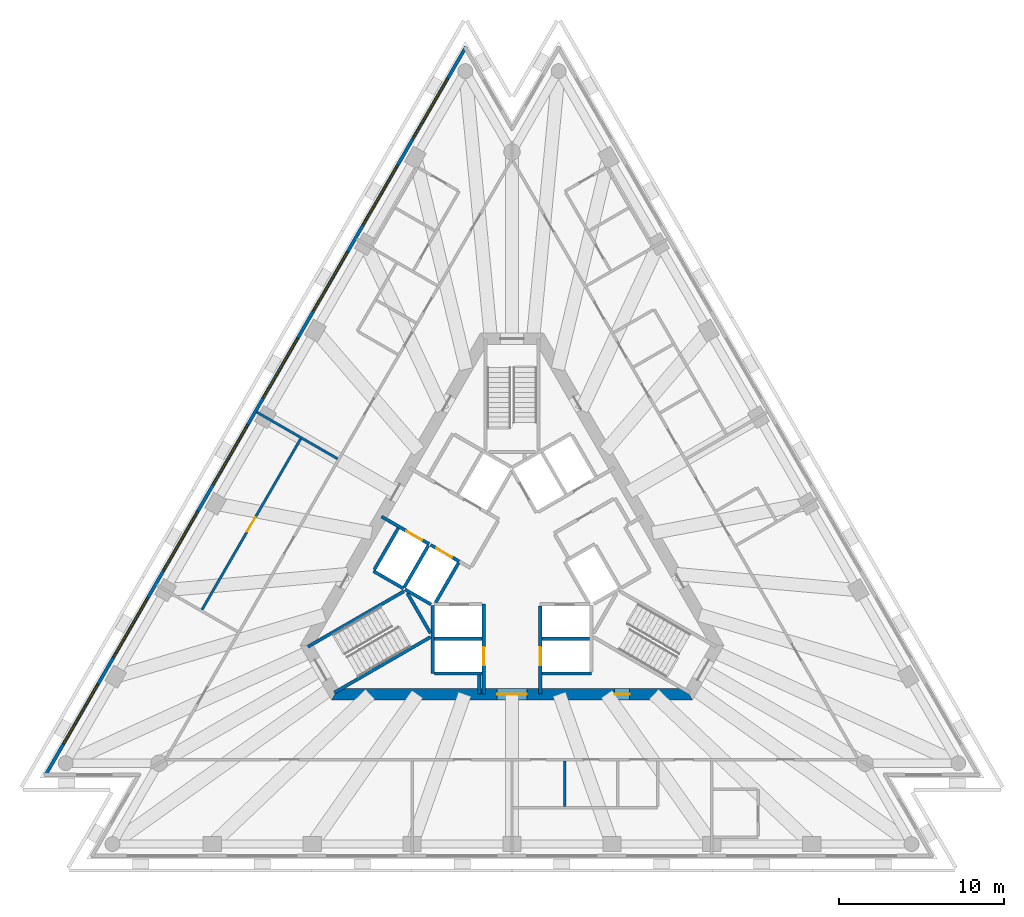
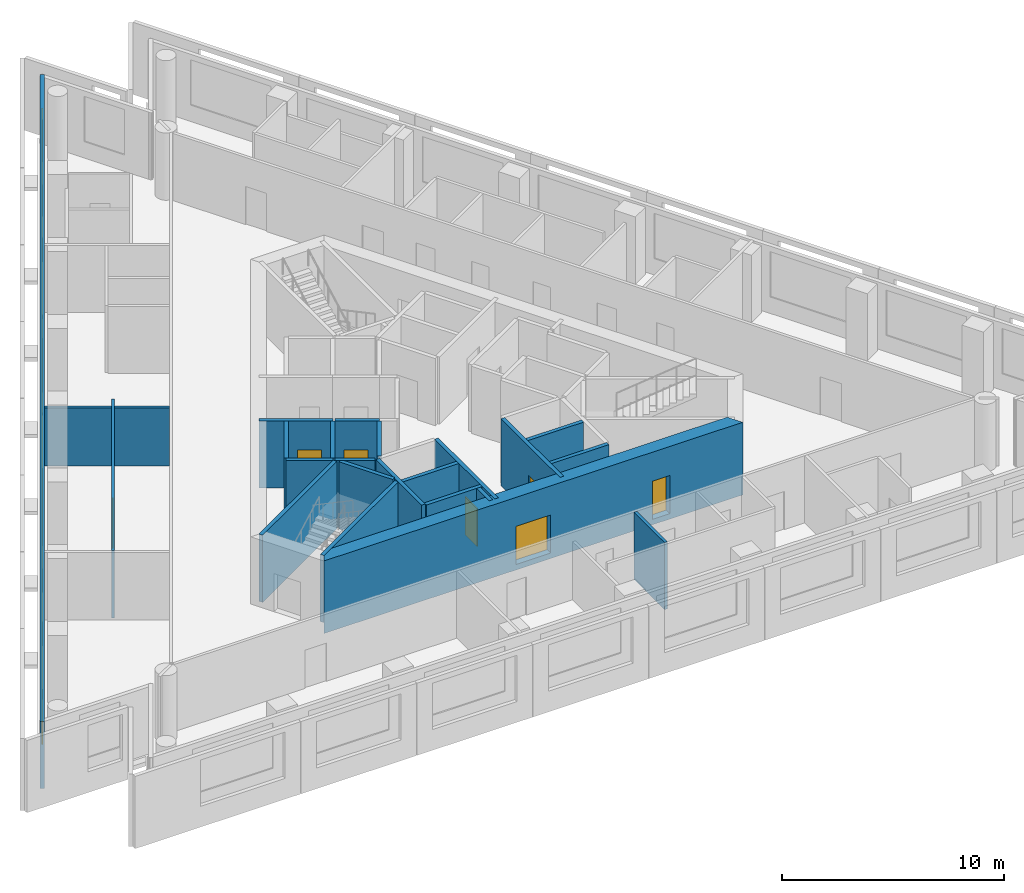
# One storey, part 3 of 9: 23 walls, 8 windows, 7 doors, 15 openings.
"""IFC4 building model written with IfcOpenShell, lengths in metres."""

from ifc_helpers import new_model, si_unit, direction, frame, frame_2d, origin, place, context, subcontext, project, spatial, polyline, rectangle, outline, extrude, material, layer, layer_set, layer_usage, type_object, element, fill, save


model = new_model("IFC4")

# Units and contexts
model_context = context("Model", 3, precision=1e-05, world=origin(), true_north=direction((0.0, 1.0)))
body_context = subcontext(model_context, "Body", "Model", "MODEL_VIEW")
ifc_project = project(units=[si_unit("LENGTHUNIT", "METRE"), si_unit("AREAUNIT", "SQUARE_METRE"), si_unit("VOLUMEUNIT", "CUBIC_METRE"), si_unit("PLANEANGLEUNIT", "RADIAN"), si_unit("MASSUNIT", "GRAM", prefix="KILO")], contexts=[model_context])

# Site, building, storey
site_placement = place(None, origin())
site = spatial("IfcSite", under=ifc_project, at=site_placement, CompositionType="ELEMENT")
building_placement = place(site_placement, origin())
building = spatial("IfcBuilding", under=site, at=building_placement, Name="Triada Interchange Tower", CompositionType="ELEMENT")
storey_placement = place(building_placement, frame((0.0, 0.0, 219.300048828125)))
storey = spatial("IfcBuildingStorey", under=building, at=storey_placement, Name="L51", CompositionType="ELEMENT", Elevation=219.300048828125)

# Walls
ifc_material_1 = material(Name="Concrete C30/37", Category="concrete")
ifc_layer_1 = layer(ifc_material_1, 0.199951171875)
ifc_layer_set_1 = layer_set([ifc_layer_1], Name="CORE WALL 200 EI 120")
wall_type_1 = type_object("IfcWallType", Name="CORE WALL 200 EI 120", PredefinedType="SOLIDWALL", material=ifc_layer_set_1)
wall_1_placement = place(storey_placement, frame((-8.3759765625, -0.70703125, 0.0), z_axis=(0.0, 0.0, 1.0), x_axis=(0.866067520717, -0.499927044236, 0.0)))
element("IfcWall", 1, at=wall_1_placement, inside=storey, type_object=wall_type_1, Name="Wall L50 41", PredefinedType="SOLIDWALL", context=body_context, shape_type="SweptSolid", body=[
    extrude(rectangle(XDim=2.100341796875, YDim=0.199951171875, at=frame_2d((1.05029296875, 0.0))), origin(), (0.0, 0.0, 1.0), 3.699951171875),
])
wall_2_placement = place(storey_placement, frame((-8.325927734375, -0.6201171875, 0.0), z_axis=(0.0, 0.0, 1.0), x_axis=(0.500023687443, 0.866011727401, 0.0)))
element("IfcWall", 2, at=wall_2_placement, inside=storey, type_object=wall_type_1, Name="Wall L50 42", PredefinedType="SOLIDWALL", context=body_context, shape_type="SweptSolid", body=[
    extrude(rectangle(XDim=2.899658203125, YDim=0.199951171875, at=frame_2d((1.44970703125, 0.0))), origin(), (0.0, 0.0, 1.0), 3.699951171875),
])
for number, where, z_axis, x_axis, name in (
    (3, (-4.699951171875, -4.800048828125, 0.0), (0.0, 0.0, 1.0), (1.0, 0.0, 0.0), "Wall L50 43"),
    (4, (1.800048828125, -4.800048828125, 0.0), (0.0, 0.0, 1.0), (1.0, 0.0, 0.0), "Wall L50 44"),
):
    element("IfcWall", number, at=place(storey_placement, frame(where, z_axis=z_axis, x_axis=x_axis)), inside=storey, type_object=wall_type_1, Name=name, PredefinedType="SOLIDWALL", context=body_context, shape_type="SweptSolid", body=[
        extrude(rectangle(XDim=2.89990234375, YDim=0.199951171875, at=frame_2d((1.449951171875, 0.0))), origin(), (0.0, 0.0, 1.0), 3.699951171875),
    ])
wall_3_placement = place(storey_placement, frame((-4.800048828125, -6.89990234375, 0.0), z_axis=(0.0, 0.0, 1.0), x_axis=(0.0, 1.0, 0.0)))
element("IfcWall", 5, at=wall_3_placement, inside=storey, type_object=wall_type_1, Name="Wall L50 45", PredefinedType="SOLIDWALL", context=body_context, shape_type="SweptSolid", body=[
    extrude(rectangle(XDim=4.130859375, YDim=0.199951171875, at=frame_2d((2.0654296875, 0.0))), origin(), (0.0, 0.0, 1.0), 3.699951171875),
])
wall_4_placement = place(storey_placement, frame((-4.699951171875, -6.89990234375, 0.0), z_axis=(0.0, 0.0, 1.0), x_axis=(1.0, 0.0, 0.0)))
element("IfcWall", 6, at=wall_4_placement, inside=storey, type_object=wall_type_1, Name="Wall L50 46", PredefinedType="SOLIDWALL", context=body_context, shape_type="SweptSolid", body=[
    extrude(rectangle(XDim=2.89990234375, YDim=0.199951171875, at=frame_2d((1.449951171875, 0.0))), origin(), (0.0, 0.0, 1.0), 3.699951171875),
])
wall_5_placement = place(storey_placement, frame((1.800048828125, -6.89990234375, 0.0), z_axis=(0.0, 0.0, 1.0), x_axis=(1.0, 0.0, 0.0)))
element("IfcWall", 7, at=wall_5_placement, inside=storey, type_object=wall_type_1, Name="Wall L50 47", PredefinedType="SOLIDWALL", context=body_context, shape_type="SweptSolid", body=[
    extrude(rectangle(XDim=3.0, YDim=0.199951171875, at=frame_2d((1.5, 0.0))), origin(), (0.0, 0.0, 1.0), 3.699951171875),
])

# Wall, opening, door
wall_6_placement = place(storey_placement, frame((-1.699951171875, -8.1298828125, 0.0), z_axis=(0.0, 0.0, 1.0), x_axis=(0.0, 1.0, 0.0)))
wall_6 = element("IfcWall", 8, at=wall_6_placement, inside=storey, type_object=wall_type_1, Name="Wall L50 48", PredefinedType="SOLIDWALL", context=body_context, shape_type="SweptSolid", body=[
    extrude(rectangle(XDim=5.427001953125, YDim=0.199951171875, at=frame_2d((2.71337890625, 0.0))), origin(), (0.0, 0.0, 1.0), 3.699951171875),
])
opening_1_placement = place(wall_6_placement, frame((1.72998046875, 0.0, 0.0)))
opening_1 = element("IfcOpeningElement", 9, at=opening_1_placement, cuts=wall_6, Name="Opening LD-HR4", PredefinedType="OPENING", context=body_context, shape_type="SweptSolid", body=[
    extrude(rectangle(XDim=1.10009765625, YDim=2.10009765625, at=frame_2d((0.550048828125, 1.050048828125))), frame((0.0, 0.10986328125, 0.0), z_axis=(0.0, -1.0, 0.0), x_axis=(1.0, 0.0, 0.0)), (0.0, 0.0, 1.0), 0.219970703125),
])
ifc_material_2 = material(Name="Steel S235 door leaf", Category="steel")
door_type_1 = type_object("IfcDoorType", Name="LIFT LANDING DOOR 1100 EI 120", OperationType="SLIDING_TO_LEFT", PredefinedType="DOOR", material=ifc_material_2)
door_1_placement = place(opening_1_placement, origin())
door_1 = element("IfcDoor", 10, at=door_1_placement, inside=storey, type_object=door_type_1, Name="HR4 landing door L51", OperationType="SLIDING_TO_LEFT", OverallHeight=2.10009765625, OverallWidth=1.10009765625, PredefinedType="DOOR", context=body_context, shape_type="SweptSolid", body=[
    extrude(rectangle(XDim=1.10009765625, YDim=2.10009765625, at=frame_2d((0.550048828125, 1.050048828125))), frame((0.0, 0.02490234375, 0.0), z_axis=(0.0, -1.0, 0.0), x_axis=(1.0, 0.0, 0.0)), (0.0, 0.0, 1.0), 0.050048828125),
])
fill(opening_1, door_1)

wall_7_placement = place(storey_placement, frame((1.699951171875, -8.1298828125, 0.0), z_axis=(0.0, 0.0, 1.0), x_axis=(0.0, 1.0, 0.0)))
wall_7 = element("IfcWall", 11, at=wall_7_placement, inside=storey, type_object=wall_type_1, Name="Wall L50 55", PredefinedType="SOLIDWALL", context=body_context, shape_type="SweptSolid", body=[
    extrude(rectangle(XDim=5.326904296875, YDim=0.199951171875, at=frame_2d((2.66357421875, 0.0))), origin(), (0.0, 0.0, 1.0), 3.699951171875),
])
opening_2_placement = place(wall_7_placement, frame((1.72998046875, 0.0, 0.0)))
opening_2 = element("IfcOpeningElement", 12, at=opening_2_placement, cuts=wall_7, Name="Opening LD-HR2", PredefinedType="OPENING", context=body_context, shape_type="SweptSolid", body=[
    extrude(rectangle(XDim=1.10009765625, YDim=2.10009765625, at=frame_2d((0.550048828125, 1.050048828125))), frame((0.0, 0.10986328125, 0.0), z_axis=(0.0, -1.0, 0.0), x_axis=(1.0, 0.0, 0.0)), (0.0, 0.0, 1.0), 0.219970703125),
])
door_2_placement = place(opening_2_placement, origin())
door_2 = element("IfcDoor", 13, at=door_2_placement, inside=storey, type_object=door_type_1, Name="HR2 landing door L51", OperationType="SLIDING_TO_LEFT", OverallHeight=2.10009765625, OverallWidth=1.10009765625, PredefinedType="DOOR", context=body_context, shape_type="SweptSolid", body=[
    extrude(rectangle(XDim=1.10009765625, YDim=2.10009765625, at=frame_2d((0.550048828125, 1.050048828125))), frame((0.0, 0.02490234375, 0.0), z_axis=(0.0, -1.0, 0.0), x_axis=(1.0, 0.0, 0.0)), (0.0, 0.0, 1.0), 0.050048828125),
])
fill(opening_2, door_2)

ifc_layer_2 = layer(ifc_material_1, 0.199951171875)
ifc_layer_set_2 = layer_set([ifc_layer_2], Name="CORE WALL 200 EI 180")
wall_type_2 = type_object("IfcWallType", Name="CORE WALL 200 EI 180", PredefinedType="SOLIDWALL", material=ifc_layer_set_2)
wall_8_placement = place(storey_placement, frame((-7.89111328125, 2.593017578125, 0.0), z_axis=(0.0, 0.0, 1.0), x_axis=(0.866070917804, -0.499921159118, 0.0)))
wall_8 = element("IfcWall", 14, at=wall_8_placement, inside=storey, type_object=wall_type_2, Name="Wall L50 66", PredefinedType="SOLIDWALL", context=body_context, shape_type="SweptSolid", body=[
    extrude(rectangle(XDim=3.33251953125, YDim=0.199951171875, at=frame_2d((1.666259765625, 0.0))), origin(), (0.0, 0.0, 1.0), 3.699951171875),
])
opening_3_placement = place(wall_8_placement, frame((1.72998046875, 0.0, 0.0)))
opening_3 = element("IfcOpeningElement", 15, at=opening_3_placement, cuts=wall_8, Name="Opening LD-SV1", PredefinedType="OPENING", context=body_context, shape_type="SweptSolid", body=[
    extrude(rectangle(XDim=1.10009765625, YDim=2.10009765625, at=frame_2d((0.550048828125, 1.050048828125))), frame((0.0, 0.10986328125, 0.0), z_axis=(0.0, -1.0, 0.0), x_axis=(1.0, 0.0, 0.0)), (0.0, 0.0, 1.0), 0.219970703125),
])
door_3_placement = place(opening_3_placement, origin())
door_3 = element("IfcDoor", 16, at=door_3_placement, inside=storey, type_object=door_type_1, Name="SV1 landing door L51", OperationType="SLIDING_TO_LEFT", OverallHeight=2.10009765625, OverallWidth=1.10009765625, PredefinedType="DOOR", context=body_context, shape_type="SweptSolid", body=[
    extrude(rectangle(XDim=1.10009765625, YDim=2.10009765625, at=frame_2d((0.550048828125, 1.050048828125))), frame((0.0, 0.02490234375, 0.0), z_axis=(0.0, -1.0, 0.0), x_axis=(1.0, 0.0, 0.0)), (0.0, 0.0, 1.0), 0.050048828125),
])
fill(opening_3, door_3)

# Walls
wall_9_placement = place(storey_placement, frame((-6.507080078125, -1.669921875, 0.0), z_axis=(0.0, 0.0, 1.0), x_axis=(0.50012328804, 0.865954211699, 0.0)))
element("IfcWall", 17, at=wall_9_placement, inside=storey, type_object=wall_type_2, Name="Shaft wall FF1 L50 73", PredefinedType="SOLIDWALL", context=body_context, shape_type="SweptSolid", body=[
    extrude(rectangle(XDim=2.899658203125, YDim=0.199951171875, at=frame_2d((1.44970703125, 0.0))), origin(), (0.0, 0.0, 1.0), 3.699951171875),
])
wall_10_placement = place(storey_placement, frame((-6.469970703125, -1.806884765625, 0.0), z_axis=(0.0, 0.0, 1.0), x_axis=(0.865883195159, -0.500246231712, 0.0)))
element("IfcWall", 18, at=wall_10_placement, inside=storey, type_object=wall_type_2, Name="Shaft wall FF1 L50 74", PredefinedType="SOLIDWALL", context=body_context, shape_type="SweptSolid", body=[
    extrude(rectangle(XDim=1.8154296875, YDim=0.199951171875, at=frame_2d((0.90771484375, 0.0))), origin(), (0.0, 0.0, 1.0), 3.699951171875),
])

# Wall, opening, door
wall_11_placement = place(storey_placement, frame((-4.922119140625, 0.87890625, 0.0), z_axis=(0.0, 0.0, 1.0), x_axis=(0.866073918653, -0.499915960366, 0.0)))
wall_11 = element("IfcWall", 19, at=wall_11_placement, inside=storey, type_object=wall_type_2, Name="Shaft wall FF1 L50 75", PredefinedType="SOLIDWALL", context=body_context, shape_type="SweptSolid", body=[
    extrude(rectangle(XDim=2.002197265625, YDim=0.199951171875, at=frame_2d((1.0009765625, 0.0))), origin(), (0.0, 0.0, 1.0), 3.699951171875),
])
opening_4_placement = place(wall_11_placement, frame((0.402099609375, 0.0, 0.0)))
opening_4 = element("IfcOpeningElement", 20, at=opening_4_placement, cuts=wall_11, Name="Opening LD-FF1", PredefinedType="OPENING", context=body_context, shape_type="SweptSolid", body=[
    extrude(rectangle(XDim=1.10009765625, YDim=2.10009765625, at=frame_2d((0.550048828125, 1.050048828125))), frame((0.0, 0.10986328125, 0.0), z_axis=(0.0, -1.0, 0.0), x_axis=(1.0, 0.0, 0.0)), (0.0, 0.0, 1.0), 0.219970703125),
])
door_4_placement = place(opening_4_placement, origin())
door_4 = element("IfcDoor", 21, at=door_4_placement, inside=storey, type_object=door_type_1, Name="FF1 landing door L51", OperationType="SLIDING_TO_LEFT", OverallHeight=2.10009765625, OverallWidth=1.10009765625, PredefinedType="DOOR", context=body_context, shape_type="SweptSolid", body=[
    extrude(rectangle(XDim=1.10009765625, YDim=2.10009765625, at=frame_2d((0.550048828125, 1.050048828125))), frame((0.0, 0.02490234375, 0.0), z_axis=(0.0, -1.0, 0.0), x_axis=(1.0, 0.0, 0.0)), (0.0, 0.0, 1.0), 0.050048828125),
])
fill(opening_4, door_4)

# Walls
wall_12_placement = place(storey_placement, frame((-4.618896484375, -2.60009765625, 0.0), z_axis=(0.0, 0.0, 1.0), x_axis=(0.50009492287, 0.865970593103, 0.0)))
element("IfcWall", 22, at=wall_12_placement, inside=storey, type_object=wall_type_2, Name="Shaft wall FF1 L50 76", PredefinedType="SOLIDWALL", context=body_context, shape_type="SweptSolid", body=[
    extrude(rectangle(XDim=2.76123046875, YDim=0.199951171875, at=frame_2d((1.380615234375, 0.0))), origin(), (0.0, 0.0, 1.0), 3.699951171875),
])
ifc_layer_3 = layer(ifc_material_1, 0.199951171875)
ifc_layer_set_3 = layer_set([ifc_layer_3], Name="CORE WALL 200 EI 90")
wall_type_3 = type_object("IfcWallType", Name="CORE WALL 200 EI 90", PredefinedType="SOLIDWALL", material=ifc_layer_set_3)
wall_13_placement = place(storey_placement, frame((-1.986083984375, -8.1298828125, 0.0), z_axis=(0.0, 0.0, 1.0), x_axis=(0.0, 1.0, 0.0)))
element("IfcWall", 23, at=wall_13_placement, inside=storey, type_object=wall_type_3, Name="Wall L50 81", PredefinedType="SOLIDWALL", context=body_context, shape_type="SweptSolid", body=[
    extrude(rectangle(XDim=1.1298828125, YDim=0.199951171875, at=frame_2d((0.56494140625, 0.0))), origin(), (0.0, 0.0, 1.0), 3.699951171875),
])
ifc_layer_4 = layer(ifc_material_1, 0.199951171875)
ifc_layer_set_4 = layer_set([ifc_layer_4], Name="CORE WALL 200 REI 240")
wall_type_4 = type_object("IfcWallType", Name="CORE WALL 200 REI 240", PredefinedType="SOLIDWALL", material=ifc_layer_set_4)
wall_14_placement = place(storey_placement, frame((-12.343994140625, -5.279052734375, 0.0), z_axis=(0.0, 0.0, 1.0), x_axis=(0.866046323291, 0.499963764601, 0.0)))
element("IfcWall", 24, at=wall_14_placement, inside=storey, type_object=wall_type_4, Name="Wall L50 86", PredefinedType="SOLIDWALL", context=body_context, shape_type="SweptSolid", body=[
    extrude(rectangle(XDim=6.71435546875, YDim=0.199951171875, at=frame_2d((3.357177734375, 0.0))), origin(), (0.0, 0.0, 1.0), 3.699951171875),
])
wall_15_placement = place(storey_placement, frame((-6.3291015625, -2.0380859375, 0.0), z_axis=(0.0, 0.0, 1.0), x_axis=(0.500200581029, -0.865909567298, 0.0)))
element("IfcWall", 25, at=wall_15_placement, inside=storey, type_object=wall_type_4, Name="Wall L50 87", PredefinedType="SOLIDWALL", context=body_context, shape_type="SweptSolid", body=[
    extrude(rectangle(XDim=2.799072265625, YDim=0.199951171875, at=frame_2d((1.3994140625, 0.0))), origin(), (0.0, 0.0, 1.0), 3.699951171875),
])
wall_16_placement = place(storey_placement, frame((-10.743896484375, -8.051025390625, 0.0), z_axis=(0.0, 0.0, 1.0), x_axis=(0.865983344943, 0.500072840975, 0.0)))
element("IfcWall", 26, at=wall_16_placement, inside=storey, type_object=wall_type_4, Name="Wall L50 88", PredefinedType="SOLIDWALL", context=body_context, shape_type="SweptSolid", body=[
    extrude(rectangle(XDim=6.71484375, YDim=0.199951171875, at=frame_2d((3.357421875, 0.0))), origin(), (0.0, 0.0, 1.0), 3.699951171875),
])

# Wall, openings, doors
ifc_material_3 = material(Name="Concrete C50/60", Category="concrete")
ifc_layer_5 = layer(ifc_material_3, 0.699951171875)
ifc_layer_set_5 = layer_set([ifc_layer_5], Name="Core wall C 700")
wall_type_5 = type_object("IfcWallType", Name="Core wall C 700", PredefinedType="SHEAR", material=ifc_layer_set_5)
wall_17_placement = place(storey_placement, frame((-10.7099609375, -8.14990234375, -0.300048828125), z_axis=(0.0, 0.0, 1.0), x_axis=(1.0, 0.0, 0.0)))
wall_17 = element("IfcWall", 27, at=wall_17_placement, inside=storey, type_object=wall_type_5, Name="Core wall WC04 L51", PredefinedType="SHEAR", context=body_context, shape_type="SweptSolid", body=[
    extrude(outline(polyline([(-0.201904296875, -0.35009765625), (1.781982421875, -0.35009765625), (3.76611328125, -0.35009765625), (5.75, -0.35009765625), (7.734130859375, -0.35009765625), (9.718017578125, -0.35009765625), (11.7021484375, -0.35009765625), (13.68603515625, -0.35009765625), (15.670166015625, -0.35009765625), (17.654052734375, -0.35009765625), (19.63818359375, -0.35009765625), (21.6220703125, -0.35009765625), (21.218017578125, 0.35009765625), (19.307373046875, 0.35009765625), (17.39697265625, 0.35009765625), (15.486328125, 0.35009765625), (13.57568359375, 0.35009765625), (11.665283203125, 0.35009765625), (9.754638671875, 0.35009765625), (7.84423828125, 0.35009765625), (5.93359375, 0.35009765625), (4.02294921875, 0.35009765625), (2.112548828125, 0.35009765625), (0.201904296875, 0.35009765625), (-0.201904296875, -0.35009765625)])), origin(), (0.0, 0.0, 1.0), 4.0),
])
opening_5_placement = place(wall_17_placement, frame((9.81005859375, 0.0, 0.300048828125)))
opening_5 = element("IfcOpeningElement", 28, at=opening_5_placement, cuts=wall_17, Name="Opening D50-38", PredefinedType="OPENING", context=body_context, shape_type="SweptSolid", body=[
    extrude(rectangle(XDim=1.800048828125, YDim=2.10009765625, at=frame_2d((0.89990234375, 1.050048828125))), frame((0.0, 0.360107421875, 0.0), z_axis=(0.0, -1.0, 0.0), x_axis=(1.0, 0.0, 0.0)), (0.0, 0.0, 1.0), 0.72021484375),
])
opening_6_placement = place(wall_17_placement, frame((16.9208984375, 0.0, 0.300048828125)))
opening_6 = element("IfcOpeningElement", 29, at=opening_6_placement, cuts=wall_17, Name="Opening D50-44", PredefinedType="OPENING", context=body_context, shape_type="SweptSolid", body=[
    extrude(rectangle(XDim=0.89990234375, YDim=2.10009765625, at=frame_2d((0.449951171875, 1.050048828125))), frame((0.0, 0.360107421875, 0.0), z_axis=(0.0, -1.0, 0.0), x_axis=(1.0, 0.0, 0.0)), (0.0, 0.0, 1.0), 0.72021484375),
])
door_type_2 = type_object("IfcDoorType", Name="LOBBY DOOR 1800 EI2 90-C5S200", OperationType="DOUBLE_DOOR_SINGLE_SWING", PredefinedType="DOOR", material=ifc_material_2)
door_5_placement = place(opening_5_placement, origin())
door_5 = element("IfcDoor", 30, at=door_5_placement, inside=storey, type_object=door_type_2, Name="Door D50-38 L51", OperationType="DOUBLE_DOOR_SINGLE_SWING", OverallHeight=2.10009765625, OverallWidth=1.800048828125, PredefinedType="DOOR", context=body_context, shape_type="SweptSolid", body=[
    extrude(rectangle(XDim=1.800048828125, YDim=2.10009765625, at=frame_2d((0.89990234375, 1.050048828125))), frame((0.0, 0.02490234375, 0.0), z_axis=(0.0, -1.0, 0.0), x_axis=(1.0, 0.0, 0.0)), (0.0, 0.0, 1.0), 0.050048828125),
])
fill(opening_5, door_5)
door_type_3 = type_object("IfcDoorType", Name="SERVICE DOOR 900 EI2 45-C5S200", OperationType="NOTDEFINED", PredefinedType="DOOR", material=ifc_material_2)
door_6_placement = place(opening_6_placement, origin())
door_6 = element("IfcDoor", 31, at=door_6_placement, inside=storey, type_object=door_type_3, Name="Door D50-44 L51", OperationType="SINGLE_SWING_RIGHT", OverallHeight=2.10009765625, OverallWidth=0.89990234375, PredefinedType="DOOR", context=body_context, shape_type="SweptSolid", body=[
    extrude(rectangle(XDim=0.89990234375, YDim=2.10009765625, at=frame_2d((0.449951171875, 1.050048828125))), frame((0.0, 0.02490234375, 0.0), z_axis=(0.0, -1.0, 0.0), x_axis=(1.0, 0.0, 0.0)), (0.0, 0.0, 1.0), 0.050048828125),
])
fill(opening_6, door_6)

# Wall, openings, windows
ifc_material_4 = material(Name="Cement board")
ifc_layer_6 = layer(ifc_material_4, 0.02001953125, Name="Cement board cladding")
ifc_material_5 = material(Name="Sheathing board")
ifc_layer_7 = layer(ifc_material_5, 0.014892578125, Name="Sheathing board")
ifc_material_6 = material(Name="Mineral wool")
ifc_layer_8 = layer(ifc_material_6, 0.14990234375, Name="Mineral wool between steel studs")
ifc_material_7 = material(Name="Gypsum board")
ifc_layer_9 = layer(ifc_material_7, 0.014892578125, Name="Plasterboard lining")
ifc_layer_set_6 = layer_set([ifc_layer_6, ifc_layer_7, ifc_layer_8, ifc_layer_9], Name="External wall 200")
ifc_layer_usage = layer_usage(ifc_layer_set_6, "AXIS2", "POSITIVE", -0.10009765625)
wall_type_6 = type_object("IfcWallType", Name="External wall 200", PredefinedType="ELEMENTEDWALL", material=ifc_layer_set_6)
wall_18_placement = place(storey_placement, frame((-2.778076171875, 31.008056640625, 0.0), z_axis=(0.0, 0.0, 1.0), x_axis=(-0.499999612413, -0.866025627558, 0.0)))
wall_18 = element("IfcWall", 32, at=wall_18_placement, inside=storey, type_object=wall_type_6, material=ifc_layer_usage, Name="External wall L51 NW", PredefinedType="ELEMENTEDWALL", context=body_context, shape_type="SweptSolid", body=[
    extrude(rectangle(XDim=50.90966796875, YDim=0.199951171875, at=frame_2d((25.454833984375, 0.0))), origin(), (0.0, 0.0, 1.0), 3.699951171875),
])
opening_7_placement = place(wall_18_placement, frame((2.222900390625, 0.0, 0.89990234375)))
opening_7 = element("IfcOpeningElement", 33, at=opening_7_placement, cuts=wall_18, Name="Opening WC01", PredefinedType="OPENING", context=body_context, shape_type="SweptSolid", body=[
    extrude(rectangle(XDim=4.199951171875, YDim=2.5, at=frame_2d((2.10009765625, 1.25))), frame((0.0, 0.10986328125, 0.0), z_axis=(0.0, -1.0, 0.0), x_axis=(1.0, 0.0, 0.0)), (0.0, 0.0, 1.0), 0.219970703125),
])
opening_8_placement = place(wall_18_placement, frame((8.262939453125, 0.0, 0.89990234375)))
opening_8 = element("IfcOpeningElement", 34, at=opening_8_placement, cuts=wall_18, Name="Opening WC02", PredefinedType="OPENING", context=body_context, shape_type="SweptSolid", body=[
    extrude(rectangle(XDim=4.199951171875, YDim=2.5, at=frame_2d((2.10009765625, 1.25))), frame((0.0, 0.10986328125, 0.0), z_axis=(0.0, -1.0, 0.0), x_axis=(1.0, 0.0, 0.0)), (0.0, 0.0, 1.0), 0.219970703125),
])
opening_9_placement = place(wall_18_placement, frame((14.303955078125, 0.0, 0.89990234375)))
opening_9 = element("IfcOpeningElement", 35, at=opening_9_placement, cuts=wall_18, Name="Opening WC03", PredefinedType="OPENING", context=body_context, shape_type="SweptSolid", body=[
    extrude(rectangle(XDim=4.199951171875, YDim=2.5, at=frame_2d((2.10009765625, 1.25))), frame((0.0, 0.10986328125, 0.0), z_axis=(0.0, -1.0, 0.0), x_axis=(1.0, 0.0, 0.0)), (0.0, 0.0, 1.0), 0.219970703125),
])
opening_10_placement = place(wall_18_placement, frame((20.343994140625, 0.0, 0.89990234375)))
opening_10 = element("IfcOpeningElement", 36, at=opening_10_placement, cuts=wall_18, Name="Opening WC04", PredefinedType="OPENING", context=body_context, shape_type="SweptSolid", body=[
    extrude(rectangle(XDim=4.199951171875, YDim=2.5, at=frame_2d((2.10009765625, 1.25))), frame((0.0, 0.10986328125, 0.0), z_axis=(0.0, -1.0, 0.0), x_axis=(1.0, 0.0, 0.0)), (0.0, 0.0, 1.0), 0.219970703125),
])
opening_11_placement = place(wall_18_placement, frame((26.385009765625, 0.0, 0.89990234375)))
opening_11 = element("IfcOpeningElement", 37, at=opening_11_placement, cuts=wall_18, Name="Opening WC05", PredefinedType="OPENING", context=body_context, shape_type="SweptSolid", body=[
    extrude(rectangle(XDim=4.199951171875, YDim=2.5, at=frame_2d((2.10009765625, 1.25))), frame((0.0, 0.10986328125, 0.0), z_axis=(0.0, -1.0, 0.0), x_axis=(1.0, 0.0, 0.0)), (0.0, 0.0, 1.0), 0.219970703125),
])
opening_12_placement = place(wall_18_placement, frame((32.425048828125, 0.0, 0.89990234375)))
opening_12 = element("IfcOpeningElement", 38, at=opening_12_placement, cuts=wall_18, Name="Opening WC06", PredefinedType="OPENING", context=body_context, shape_type="SweptSolid", body=[
    extrude(rectangle(XDim=4.199951171875, YDim=2.5, at=frame_2d((2.10009765625, 1.25))), frame((0.0, 0.10986328125, 0.0), z_axis=(0.0, -1.0, 0.0), x_axis=(1.0, 0.0, 0.0)), (0.0, 0.0, 1.0), 0.219970703125),
])
opening_13_placement = place(wall_18_placement, frame((38.466064453125, 0.0, 0.89990234375)))
opening_13 = element("IfcOpeningElement", 39, at=opening_13_placement, cuts=wall_18, Name="Opening WC07", PredefinedType="OPENING", context=body_context, shape_type="SweptSolid", body=[
    extrude(rectangle(XDim=4.199951171875, YDim=2.5, at=frame_2d((2.10009765625, 1.25))), frame((0.0, 0.10986328125, 0.0), z_axis=(0.0, -1.0, 0.0), x_axis=(1.0, 0.0, 0.0)), (0.0, 0.0, 1.0), 0.219970703125),
])
opening_14_placement = place(wall_18_placement, frame((44.506103515625, 0.0, 0.89990234375)))
opening_14 = element("IfcOpeningElement", 40, at=opening_14_placement, cuts=wall_18, Name="Opening WC08", PredefinedType="OPENING", context=body_context, shape_type="SweptSolid", body=[
    extrude(rectangle(XDim=4.199951171875, YDim=2.5, at=frame_2d((2.10009765625, 1.25))), frame((0.0, 0.10986328125, 0.0), z_axis=(0.0, -1.0, 0.0), x_axis=(1.0, 0.0, 0.0)), (0.0, 0.0, 1.0), 0.219970703125),
])
ifc_material_8 = material(Name="Double glazed aluminium window", Category="aluminium")
window_type = type_object("IfcWindowType", Name="Ribbon window C face", PartitioningType="SINGLE_PANEL", PredefinedType="WINDOW", material=ifc_material_8)
window_1_placement = place(opening_7_placement, origin())
window_1 = element("IfcWindow", 41, at=window_1_placement, inside=storey, type_object=window_type, Name="Window L51 NW 1", OverallHeight=2.5, OverallWidth=4.199951171875, PartitioningType="SINGLE_PANEL", PredefinedType="WINDOW", context=body_context, shape_type="SweptSolid", body=[
    extrude(rectangle(XDim=4.199951171875, YDim=2.5, at=frame_2d((2.10009765625, 1.25))), frame((0.0, 0.030029296875, 0.0), z_axis=(0.0, -1.0, 0.0), x_axis=(1.0, 0.0, 0.0)), (0.0, 0.0, 1.0), 0.06005859375),
])
fill(opening_7, window_1)
window_2_placement = place(opening_8_placement, origin())
window_2 = element("IfcWindow", 42, at=window_2_placement, inside=storey, type_object=window_type, Name="Window L51 NW 2", OverallHeight=2.5, OverallWidth=4.199951171875, PartitioningType="SINGLE_PANEL", PredefinedType="WINDOW", context=body_context, shape_type="SweptSolid", body=[
    extrude(rectangle(XDim=4.199951171875, YDim=2.5, at=frame_2d((2.10009765625, 1.25))), frame((0.0, 0.030029296875, 0.0), z_axis=(0.0, -1.0, 0.0), x_axis=(1.0, 0.0, 0.0)), (0.0, 0.0, 1.0), 0.06005859375),
])
fill(opening_8, window_2)
window_3_placement = place(opening_9_placement, origin())
window_3 = element("IfcWindow", 43, at=window_3_placement, inside=storey, type_object=window_type, Name="Window L51 NW 3", OverallHeight=2.5, OverallWidth=4.199951171875, PartitioningType="SINGLE_PANEL", PredefinedType="WINDOW", context=body_context, shape_type="SweptSolid", body=[
    extrude(rectangle(XDim=4.199951171875, YDim=2.5, at=frame_2d((2.10009765625, 1.25))), frame((0.0, 0.030029296875, 0.0), z_axis=(0.0, -1.0, 0.0), x_axis=(1.0, 0.0, 0.0)), (0.0, 0.0, 1.0), 0.06005859375),
])
fill(opening_9, window_3)
window_4_placement = place(opening_10_placement, origin())
window_4 = element("IfcWindow", 44, at=window_4_placement, inside=storey, type_object=window_type, Name="Window L51 NW 4", OverallHeight=2.5, OverallWidth=4.199951171875, PartitioningType="SINGLE_PANEL", PredefinedType="WINDOW", context=body_context, shape_type="SweptSolid", body=[
    extrude(rectangle(XDim=4.199951171875, YDim=2.5, at=frame_2d((2.10009765625, 1.25))), frame((0.0, 0.030029296875, 0.0), z_axis=(0.0, -1.0, 0.0), x_axis=(1.0, 0.0, 0.0)), (0.0, 0.0, 1.0), 0.06005859375),
])
fill(opening_10, window_4)
window_5_placement = place(opening_11_placement, origin())
window_5 = element("IfcWindow", 45, at=window_5_placement, inside=storey, type_object=window_type, Name="Window L51 NW 5", OverallHeight=2.5, OverallWidth=4.199951171875, PartitioningType="SINGLE_PANEL", PredefinedType="WINDOW", context=body_context, shape_type="SweptSolid", body=[
    extrude(rectangle(XDim=4.199951171875, YDim=2.5, at=frame_2d((2.10009765625, 1.25))), frame((0.0, 0.030029296875, 0.0), z_axis=(0.0, -1.0, 0.0), x_axis=(1.0, 0.0, 0.0)), (0.0, 0.0, 1.0), 0.06005859375),
])
fill(opening_11, window_5)
window_6_placement = place(opening_12_placement, origin())
window_6 = element("IfcWindow", 46, at=window_6_placement, inside=storey, type_object=window_type, Name="Window L51 NW 6", OverallHeight=2.5, OverallWidth=4.199951171875, PartitioningType="SINGLE_PANEL", PredefinedType="WINDOW", context=body_context, shape_type="SweptSolid", body=[
    extrude(rectangle(XDim=4.199951171875, YDim=2.5, at=frame_2d((2.10009765625, 1.25))), frame((0.0, 0.030029296875, 0.0), z_axis=(0.0, -1.0, 0.0), x_axis=(1.0, 0.0, 0.0)), (0.0, 0.0, 1.0), 0.06005859375),
])
fill(opening_12, window_6)
window_7_placement = place(opening_13_placement, origin())
window_7 = element("IfcWindow", 47, at=window_7_placement, inside=storey, type_object=window_type, Name="Window L51 NW 7", OverallHeight=2.5, OverallWidth=4.199951171875, PartitioningType="SINGLE_PANEL", PredefinedType="WINDOW", context=body_context, shape_type="SweptSolid", body=[
    extrude(rectangle(XDim=4.199951171875, YDim=2.5, at=frame_2d((2.10009765625, 1.25))), frame((0.0, 0.030029296875, 0.0), z_axis=(0.0, -1.0, 0.0), x_axis=(1.0, 0.0, 0.0)), (0.0, 0.0, 1.0), 0.06005859375),
])
fill(opening_13, window_7)
window_8_placement = place(opening_14_placement, origin())
window_8 = element("IfcWindow", 48, at=window_8_placement, inside=storey, type_object=window_type, Name="Window L51 NW 8", OverallHeight=2.5, OverallWidth=4.199951171875, PartitioningType="SINGLE_PANEL", PredefinedType="WINDOW", context=body_context, shape_type="SweptSolid", body=[
    extrude(rectangle(XDim=4.199951171875, YDim=2.5, at=frame_2d((2.10009765625, 1.25))), frame((0.0, 0.030029296875, 0.0), z_axis=(0.0, -1.0, 0.0), x_axis=(1.0, 0.0, 0.0)), (0.0, 0.0, 1.0), 0.06005859375),
])
fill(opening_14, window_8)

# Walls
ifc_material_9 = material(Name="Gypsum board partition")
ifc_layer_10 = layer(ifc_material_9, 0.14990234375)
ifc_layer_set_7 = layer_set([ifc_layer_10], Name="PARTITION 150 EI 180")
wall_type_7 = type_object("IfcWallType", Name="PARTITION 150 EI 180", PredefinedType="PARTITIONING", material=ifc_layer_set_7)
wall_19_placement = place(storey_placement, frame((-15.44091796875, 8.9150390625, 0.0), z_axis=(0.0, 0.0, 1.0), x_axis=(0.866034596441, -0.499984077514, 0.0)))
element("IfcWall", 49, at=wall_19_placement, inside=storey, type_object=wall_type_7, Name="Wall L50 6", PredefinedType="PARTITIONING", context=body_context, shape_type="SweptSolid", body=[
    extrude(rectangle(XDim=5.654541015625, YDim=0.14990234375, at=frame_2d((2.8271484375, 0.0))), origin(), (0.0, 0.0, 1.0), 3.199951171875),
])
wall_20_placement = place(storey_placement, frame((3.199951171875, -14.929931640625, 0.0), z_axis=(0.0, 0.0, 1.0), x_axis=(0.0, 1.0, 0.0)))
element("IfcWall", 50, at=wall_20_placement, inside=storey, type_object=wall_type_7, Name="Wall L50 17", PredefinedType="PARTITIONING", context=body_context, shape_type="SweptSolid", body=[
    extrude(rectangle(XDim=2.7548828125, YDim=0.14990234375, at=frame_2d((1.37744140625, 0.0))), origin(), (0.0, 0.0, 1.0), 3.699951171875),
])

# Wall, opening, door
ifc_layer_11 = layer(ifc_material_9, 0.14990234375)
ifc_layer_set_8 = layer_set([ifc_layer_11], Name="PARTITION 150 EI 90")
wall_type_8 = type_object("IfcWallType", Name="PARTITION 150 EI 90", PredefinedType="PARTITIONING", material=ifc_layer_set_8)
wall_21_placement = place(storey_placement, frame((-18.74609375, -3.0400390625, 0.0), z_axis=(0.0, 0.0, 1.0), x_axis=(0.499992887898, 0.866029509919, 0.0)))
wall_21 = element("IfcWall", 51, at=wall_21_placement, inside=storey, type_object=wall_type_8, Name="Wall L50 29", PredefinedType="PARTITIONING", context=body_context, shape_type="SweptSolid", body=[
    extrude(rectangle(XDim=11.930419921875, YDim=0.14990234375, at=frame_2d((5.96533203125, 0.0))), origin(), (0.0, 0.0, 1.0), 3.699951171875),
])
opening_15_placement = place(wall_21_placement, frame((5.4560546875, 0.0, 0.0)))
opening_15 = element("IfcOpeningElement", 52, at=opening_15_placement, cuts=wall_21, Name="Opening D50-36", PredefinedType="OPENING", context=body_context, shape_type="SweptSolid", body=[
    extrude(rectangle(XDim=1.0, YDim=2.10009765625, at=frame_2d((0.5, 1.050048828125))), frame((0.0, 0.0849609375, 0.0), z_axis=(0.0, -1.0, 0.0), x_axis=(1.0, 0.0, 0.0)), (0.0, 0.0, 1.0), 0.169921875),
])
door_type_4 = type_object("IfcDoorType", Name="ROOM DOOR 1000 EI2 45-C5S200", OperationType="NOTDEFINED", PredefinedType="DOOR", material=ifc_material_2)
door_7_placement = place(opening_15_placement, origin())
door_7 = element("IfcDoor", 53, at=door_7_placement, inside=storey, type_object=door_type_4, Name="Door D50-36 L51", OperationType="SINGLE_SWING_RIGHT", OverallHeight=2.10009765625, OverallWidth=1.0, PredefinedType="DOOR", context=body_context, shape_type="SweptSolid", body=[
    extrude(rectangle(XDim=1.0, YDim=2.10009765625, at=frame_2d((0.5, 1.050048828125))), frame((0.0, 0.02490234375, 0.0), z_axis=(0.0, -1.0, 0.0), x_axis=(1.0, 0.0, 0.0)), (0.0, 0.0, 1.0), 0.050048828125),
])
fill(opening_15, door_7)

save(model, "model.ifc")
